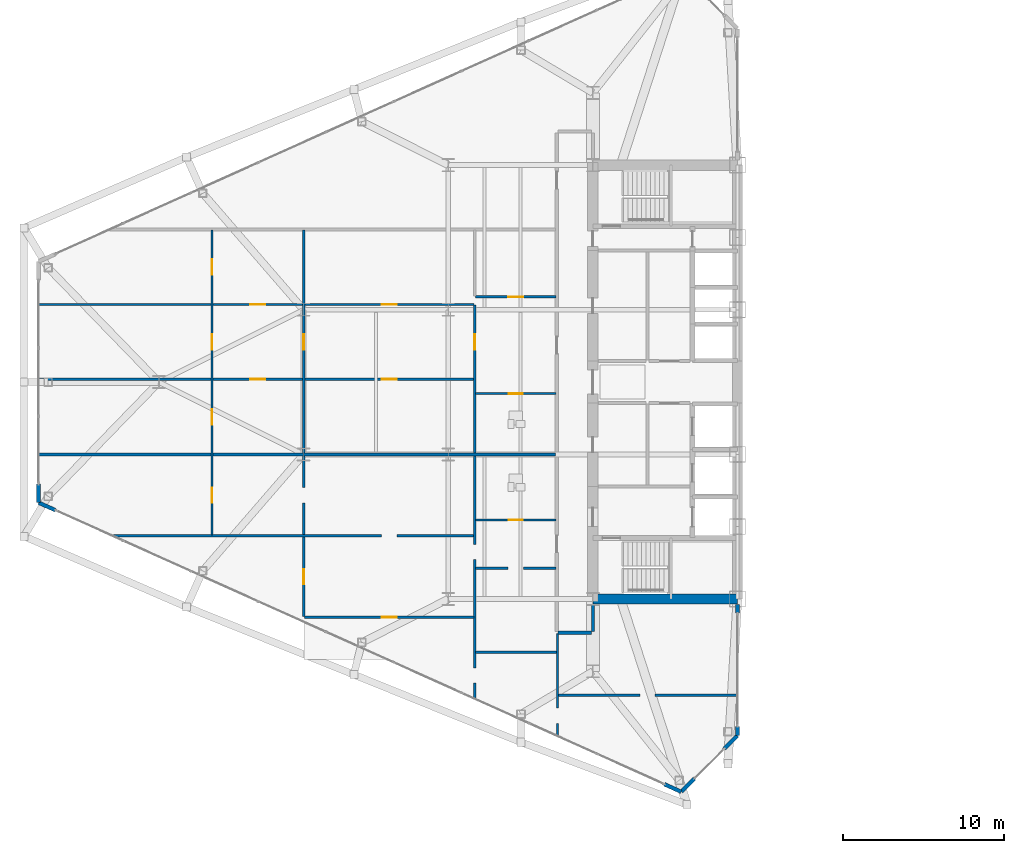
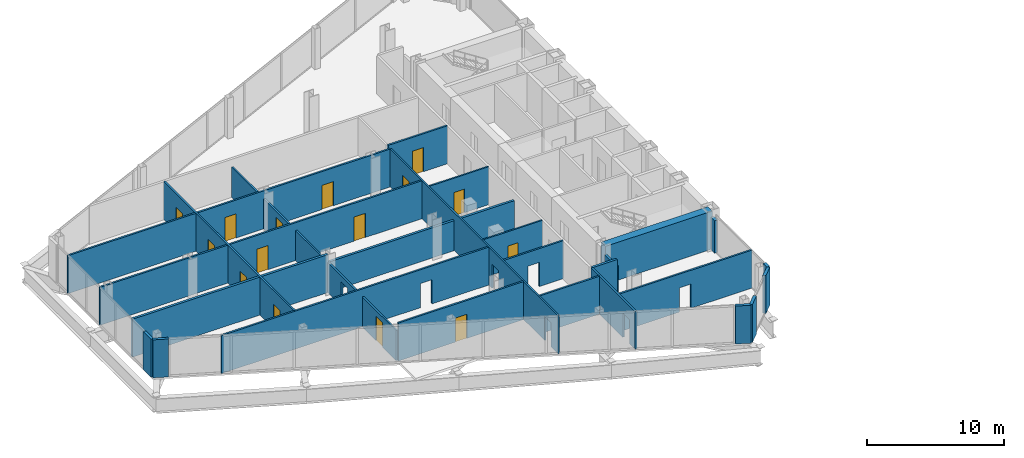
# One storey, part 20 of 29: 26 walls, 15 doors, 22 openings.
"""IFC4 building model written with IfcOpenShell, lengths in metres."""

from ifc_helpers import new_model, si_unit, direction, frame, frame_2d, origin, place, context, subcontext, project, spatial, rectangle, extrude, source, transform, mapped, material, layer, layer_set, type_object, type_shapes, element, fill, save


model = new_model("IFC4")

# Units and contexts
model_context = context("Model", 3, precision=1e-05, world=origin(), true_north=direction((0.0, 1.0)))
body_context = subcontext(model_context, "Body", "Model", "MODEL_VIEW")
ifc_project = project(units=[si_unit("LENGTHUNIT", "METRE"), si_unit("AREAUNIT", "SQUARE_METRE"), si_unit("VOLUMEUNIT", "CUBIC_METRE"), si_unit("PLANEANGLEUNIT", "RADIAN"), si_unit("MASSUNIT", "GRAM", prefix="KILO")], contexts=[model_context])

# Site, building, storey
site_placement = place(None, origin())
site = spatial("IfcSite", under=ifc_project, at=site_placement, CompositionType="ELEMENT")
building_placement = place(site_placement, origin())
building = spatial("IfcBuilding", under=site, at=building_placement, Name="Seokmaru Belvedere", CompositionType="ELEMENT")
storey_placement = place(building_placement, frame((0.0, 0.0, 62.10009765625)))
storey = spatial("IfcBuildingStorey", under=building, at=storey_placement, Name="L16", CompositionType="ELEMENT", Elevation=62.10009765625)

# Wall, opening
ifc_material_1 = material(Name="Fire-Rated Gypsum Shaftwall")
ifc_layer_1 = layer(ifc_material_1, 0.14990234375)
ifc_layer_set_1 = layer_set([ifc_layer_1], Name="Fire-Rated Gypsum Shaftwall")
wall_type_1 = type_object("IfcWallType", Name="Apartment Fire-Acoustic Room Partition 150", PredefinedType="PARTITIONING", material=ifc_layer_set_1)
wall_1_placement = place(storey_placement, frame((-38.64990234375, -19.5, 0.0), z_axis=(0.0, 0.0, 1.0), x_axis=(1.0, 0.0, 0.0)))
wall_1 = element("IfcWall", 1, at=wall_1_placement, inside=storey, type_object=wall_type_1, Name="L16 Interior Partition 001", PredefinedType="PARTITIONING", context=body_context, shape_type="SweptSolid", body=[
    extrude(rectangle(XDim=11.184814453125, YDim=0.14990234375, at=frame_2d((5.59228515625, 0.0))), origin(), (0.0, 0.0, 1.0), 3.3798828125),
])
opening_1_placement = place(wall_1_placement, frame((5.074951171875, 0.0, 0.0)))
element("IfcOpeningElement", 2, at=opening_1_placement, cuts=wall_1, Name="L16 Cased Opening 012", PredefinedType="OPENING", context=body_context, shape_type="SweptSolid", body=[
    extrude(rectangle(XDim=0.949951171875, YDim=2.14990234375, at=frame_2d((0.47509765625, 1.074951171875))), frame((0.0, 0.0849609375, 0.0), z_axis=(0.0, -1.0, 0.0), x_axis=(1.0, 0.0, 0.0)), (0.0, 0.0, 1.0), 0.169921875),
])

# Wall
wall_2_placement = place(storey_placement, frame((-43.800048828125, -16.81005859375, 0.0), z_axis=(0.0, 0.0, 1.0), x_axis=(1.0, 0.0, 0.0)))
element("IfcWall", 3, at=wall_2_placement, inside=storey, type_object=wall_type_1, Name="L16 Interior Partition 004", PredefinedType="PARTITIONING", context=body_context, shape_type="SweptSolid", body=[
    extrude(rectangle(XDim=5.050048828125, YDim=0.14990234375, at=frame_2d((2.52490234375, 0.0))), origin(), (0.0, 0.0, 1.0), 3.3798828125),
])

# Wall, opening, door
wall_3_placement = place(storey_placement, frame((-54.449951171875, -14.639892578125, 0.0), z_axis=(0.0, 0.0, 1.0), x_axis=(1.0, 0.0, 0.0)))
wall_3 = element("IfcWall", 4, at=wall_3_placement, inside=storey, type_object=wall_type_1, Name="L16 Interior Partition 008", PredefinedType="PARTITIONING", context=body_context, shape_type="SweptSolid", body=[
    extrude(rectangle(XDim=10.550048828125, YDim=0.14990234375, at=frame_2d((5.27490234375, 0.0))), origin(), (0.0, 0.0, 1.0), 3.3798828125),
])
opening_2_placement = place(wall_3_placement, frame((4.800048828125, 0.0, 0.0)))
opening_2 = element("IfcOpeningElement", 5, at=opening_2_placement, cuts=wall_3, Name="Opening D05", PredefinedType="OPENING", context=body_context, shape_type="SweptSolid", body=[
    extrude(rectangle(XDim=0.949951171875, YDim=2.14990234375, at=frame_2d((0.47509765625, 1.074951171875))), frame((0.0, 0.0849609375, 0.0), z_axis=(0.0, -1.0, 0.0), x_axis=(1.0, 0.0, 0.0)), (0.0, 0.0, 1.0), 0.169921875),
])
ifc_material_2 = material(Name="Engineered White Oak Timber", Category="wood")
door_type_1 = type_object("IfcDoorType", Name="Apartment Interior Fire-Rated Oak Door 950x2150", OperationType="NOTDEFINED", PredefinedType="DOOR", material=ifc_material_2)
shared_shape_1 = source(origin(), body_context, "Body", "SweptSolid", [
    extrude(rectangle(XDim=0.949951171875, YDim=2.14990234375, at=frame_2d((0.47509765625, 1.074951171875))), frame((0.0, 0.02490234375, 0.0), z_axis=(0.0, -1.0, 0.0), x_axis=(1.0, 0.0, 0.0)), (0.0, 0.0, 1.0), 0.050048828125),
])
type_shapes(door_type_1, [shared_shape_1])
door_1_placement = place(opening_2_placement, origin())
door_1 = element("IfcDoor", 6, at=door_1_placement, inside=storey, type_object=door_type_1, Name="L16 Interior Door 006", OperationType="SINGLE_SWING_LEFT", OverallHeight=2.14990234375, OverallWidth=0.949951171875, PredefinedType="DOOR", context=body_context, shape_type="MappedRepresentation", body=[
    mapped(shared_shape_1, transform((0.0, 0.0, 0.0), scale=1.0)),
])
fill(opening_2, door_1)

# Wall, opening
wall_4_placement = place(storey_placement, frame((-43.800048828125, -11.580078125, 0.0), z_axis=(0.0, 0.0, 1.0), x_axis=(1.0, 0.0, 0.0)))
wall_4 = element("IfcWall", 7, at=wall_4_placement, inside=storey, type_object=wall_type_1, Name="L16 Interior Partition 010", PredefinedType="PARTITIONING", context=body_context, shape_type="SweptSolid", body=[
    extrude(rectangle(XDim=5.0, YDim=0.14990234375, at=frame_2d((2.5, 0.0))), origin(), (0.0, 0.0, 1.0), 3.3798828125),
])
opening_3_placement = place(wall_4_placement, frame((2.02490234375, 0.0, 0.0)))
element("IfcOpeningElement", 8, at=opening_3_placement, cuts=wall_4, Name="L16 Cased Opening 003", PredefinedType="OPENING", context=body_context, shape_type="SweptSolid", body=[
    extrude(rectangle(XDim=0.949951171875, YDim=2.14990234375, at=frame_2d((0.47509765625, 1.074951171875))), frame((0.0, 0.0849609375, 0.0), z_axis=(0.0, -1.0, 0.0), x_axis=(1.0, 0.0, 0.0)), (0.0, 0.0, 1.0), 0.169921875),
])

wall_5_placement = place(storey_placement, frame((-66.428955078125, -9.570068359375, 0.0), z_axis=(0.0, 0.0, 1.0), x_axis=(1.0, 0.0, 0.0)))
wall_5 = element("IfcWall", 9, at=wall_5_placement, inside=storey, type_object=wall_type_1, Name="L16 Interior Partition 012", PredefinedType="PARTITIONING", context=body_context, shape_type="SweptSolid", body=[
    extrude(rectangle(XDim=22.529052734375, YDim=0.14990234375, at=frame_2d((11.2646484375, 0.0))), origin(), (0.0, 0.0, 1.0), 3.3798828125),
])
opening_4_placement = place(wall_5_placement, frame((16.779052734375, 0.0, 0.0)))
element("IfcOpeningElement", 10, at=opening_4_placement, cuts=wall_5, Name="L16 Cased Opening 007", PredefinedType="OPENING", context=body_context, shape_type="SweptSolid", body=[
    extrude(rectangle(XDim=0.949951171875, YDim=2.14990234375, at=frame_2d((0.47509765625, 1.074951171875))), frame((0.0, 0.0849609375, 0.0), z_axis=(0.0, -1.0, 0.0), x_axis=(1.0, 0.0, 0.0)), (0.0, 0.0, 1.0), 0.169921875),
])

# Wall, openings, doors
wall_6_placement = place(storey_placement, frame((-71.034912109375, 0.169921875, 0.0), z_axis=(0.0, 0.0, 1.0), x_axis=(1.0, 0.0, 0.0)))
wall_6 = element("IfcWall", 11, at=wall_6_placement, inside=storey, type_object=wall_type_1, Name="L16 Interior Partition 020", PredefinedType="PARTITIONING", context=body_context, shape_type="SweptSolid", body=[
    extrude(rectangle(XDim=27.135009765625, YDim=0.14990234375, at=frame_2d((13.5673828125, 0.0))), origin(), (0.0, 0.0, 1.0), 3.3798828125),
])
opening_5_placement = place(wall_6_placement, frame((21.385009765625, 0.0, 0.0)))
opening_5 = element("IfcOpeningElement", 12, at=opening_5_placement, cuts=wall_6, Name="Opening D05", PredefinedType="OPENING", context=body_context, shape_type="SweptSolid", body=[
    extrude(rectangle(XDim=0.949951171875, YDim=2.14990234375, at=frame_2d((0.47509765625, 1.074951171875))), frame((0.0, 0.0849609375, 0.0), z_axis=(0.0, -1.0, 0.0), x_axis=(1.0, 0.0, 0.0)), (0.0, 0.0, 1.0), 0.169921875),
])
opening_6_placement = place(wall_6_placement, frame((13.2099609375, 0.0, 0.0)))
opening_6 = element("IfcOpeningElement", 13, at=opening_6_placement, cuts=wall_6, Name="Opening D05", PredefinedType="OPENING", context=body_context, shape_type="SweptSolid", body=[
    extrude(rectangle(XDim=0.949951171875, YDim=2.14990234375, at=frame_2d((0.47509765625, 1.074951171875))), frame((0.0, 0.0849609375, 0.0), z_axis=(0.0, -1.0, 0.0), x_axis=(1.0, 0.0, 0.0)), (0.0, 0.0, 1.0), 0.169921875),
])
door_2_placement = place(opening_5_placement, origin())
door_2 = element("IfcDoor", 14, at=door_2_placement, inside=storey, type_object=door_type_1, Name="L16 Interior Door 018", OperationType="SINGLE_SWING_RIGHT", OverallHeight=2.14990234375, OverallWidth=0.949951171875, PredefinedType="DOOR", context=body_context, shape_type="MappedRepresentation", body=[
    mapped(shared_shape_1, transform((0.0, 0.0, 0.0), scale=1.0)),
])
fill(opening_5, door_2)
door_3_placement = place(opening_6_placement, origin())
door_3 = element("IfcDoor", 15, at=door_3_placement, inside=storey, type_object=door_type_1, Name="L16 Interior Door 020", OperationType="SINGLE_SWING_LEFT", OverallHeight=2.14990234375, OverallWidth=0.949951171875, PredefinedType="DOOR", context=body_context, shape_type="MappedRepresentation", body=[
    mapped(shared_shape_1, transform((0.0, 0.0, 0.0), scale=1.0)),
])
fill(opening_6, door_3)

wall_7_placement = place(storey_placement, frame((-71.034912109375, 4.830078125, 0.0), z_axis=(0.0, 0.0, 1.0), x_axis=(1.0, 0.0, 0.0)))
wall_7 = element("IfcWall", 16, at=wall_7_placement, inside=storey, type_object=wall_type_1, Name="L16 Interior Partition 022", PredefinedType="PARTITIONING", context=body_context, shape_type="SweptSolid", body=[
    extrude(rectangle(XDim=27.135009765625, YDim=0.14990234375, at=frame_2d((13.5673828125, 0.0))), origin(), (0.0, 0.0, 1.0), 3.3798828125),
])
opening_7_placement = place(wall_7_placement, frame((21.385009765625, 0.0, 0.0)))
opening_7 = element("IfcOpeningElement", 17, at=opening_7_placement, cuts=wall_7, Name="Opening D05", PredefinedType="OPENING", context=body_context, shape_type="SweptSolid", body=[
    extrude(rectangle(XDim=0.949951171875, YDim=2.14990234375, at=frame_2d((0.47509765625, 1.074951171875))), frame((0.0, 0.0849609375, 0.0), z_axis=(0.0, -1.0, 0.0), x_axis=(1.0, 0.0, 0.0)), (0.0, 0.0, 1.0), 0.169921875),
])
opening_8_placement = place(wall_7_placement, frame((13.2099609375, 0.0, 0.0)))
opening_8 = element("IfcOpeningElement", 18, at=opening_8_placement, cuts=wall_7, Name="Opening D05", PredefinedType="OPENING", context=body_context, shape_type="SweptSolid", body=[
    extrude(rectangle(XDim=0.949951171875, YDim=2.14990234375, at=frame_2d((0.47509765625, 1.074951171875))), frame((0.0, 0.0849609375, 0.0), z_axis=(0.0, -1.0, 0.0), x_axis=(1.0, 0.0, 0.0)), (0.0, 0.0, 1.0), 0.169921875),
])
door_4_placement = place(opening_7_placement, origin())
door_4 = element("IfcDoor", 19, at=door_4_placement, inside=storey, type_object=door_type_1, Name="L16 Interior Door 019", OperationType="SINGLE_SWING_LEFT", OverallHeight=2.14990234375, OverallWidth=0.949951171875, PredefinedType="DOOR", context=body_context, shape_type="MappedRepresentation", body=[
    mapped(shared_shape_1, transform((0.0, 0.0, 0.0), scale=1.0)),
])
fill(opening_7, door_4)
door_5_placement = place(opening_8_placement, origin())
door_5 = element("IfcDoor", 20, at=door_5_placement, inside=storey, type_object=door_type_1, Name="L16 Interior Door 023", OperationType="SINGLE_SWING_LEFT", OverallHeight=2.14990234375, OverallWidth=0.949951171875, PredefinedType="DOOR", context=body_context, shape_type="MappedRepresentation", body=[
    mapped(shared_shape_1, transform((0.0, 0.0, 0.0), scale=1.0)),
])
fill(opening_8, door_5)

# Wall, opening, door
wall_8_placement = place(storey_placement, frame((-43.800048828125, 5.300048828125, 0.0), z_axis=(0.0, 0.0, 1.0), x_axis=(1.0, 0.0, 0.0)))
wall_8 = element("IfcWall", 21, at=wall_8_placement, inside=storey, type_object=wall_type_1, Name="L16 Interior Partition 023", PredefinedType="PARTITIONING", context=body_context, shape_type="SweptSolid", body=[
    extrude(rectangle(XDim=5.0, YDim=0.14990234375, at=frame_2d((2.5, 0.0))), origin(), (0.0, 0.0, 1.0), 3.3798828125),
])
opening_9_placement = place(wall_8_placement, frame((2.02490234375, 0.0, 0.0)))
opening_9 = element("IfcOpeningElement", 22, at=opening_9_placement, cuts=wall_8, Name="Opening D05", PredefinedType="OPENING", context=body_context, shape_type="SweptSolid", body=[
    extrude(rectangle(XDim=0.949951171875, YDim=2.14990234375, at=frame_2d((0.47509765625, 1.074951171875))), frame((0.0, 0.0849609375, 0.0), z_axis=(0.0, -1.0, 0.0), x_axis=(1.0, 0.0, 0.0)), (0.0, 0.0, 1.0), 0.169921875),
])
door_6_placement = place(opening_9_placement, origin())
door_6 = element("IfcDoor", 23, at=door_6_placement, inside=storey, type_object=door_type_1, Name="L16 Interior Door 015", OperationType="SINGLE_SWING_LEFT", OverallHeight=2.14990234375, OverallWidth=0.949951171875, PredefinedType="DOOR", context=body_context, shape_type="MappedRepresentation", body=[
    mapped(shared_shape_1, transform((0.0, 0.0, 0.0), scale=1.0)),
])
fill(opening_9, door_6)

# Wall, openings, doors
wall_9_placement = place(storey_placement, frame((-60.199951171875, -9.52197265625, 0.0), z_axis=(0.0, 0.0, 1.0), x_axis=(0.0, 1.0, 0.0)))
wall_9 = element("IfcWall", 24, at=wall_9_placement, inside=storey, type_object=wall_type_1, Name="L16 Interior Partition 032", PredefinedType="PARTITIONING", context=body_context, shape_type="SweptSolid", body=[
    extrude(rectangle(XDim=18.971923828125, YDim=0.14990234375, at=frame_2d((9.48583984375, 0.0))), origin(), (0.0, 0.0, 1.0), 3.3798828125),
])
opening_10_placement = place(wall_9_placement, frame((2.0107421875, 0.0, 0.0)))
opening_10 = element("IfcOpeningElement", 25, at=opening_10_placement, cuts=wall_9, Name="Opening D05", PredefinedType="OPENING", context=body_context, shape_type="SweptSolid", body=[
    extrude(rectangle(XDim=0.949951171875, YDim=2.14990234375, at=frame_2d((0.47509765625, 1.074951171875))), frame((0.0, 0.0849609375, 0.0), z_axis=(0.0, -1.0, 0.0), x_axis=(1.0, 0.0, 0.0)), (0.0, 0.0, 1.0), 0.169921875),
])
opening_11_placement = place(wall_9_placement, frame((6.88037109375, 0.0, 0.0)))
opening_11 = element("IfcOpeningElement", 26, at=opening_11_placement, cuts=wall_9, Name="Opening D05", PredefinedType="OPENING", context=body_context, shape_type="SweptSolid", body=[
    extrude(rectangle(XDim=0.949951171875, YDim=2.14990234375, at=frame_2d((0.47509765625, 1.074951171875))), frame((0.0, 0.0849609375, 0.0), z_axis=(0.0, -1.0, 0.0), x_axis=(1.0, 0.0, 0.0)), (0.0, 0.0, 1.0), 0.169921875),
])
opening_12_placement = place(wall_9_placement, frame((11.547119140625, 0.0, 0.0)))
opening_12 = element("IfcOpeningElement", 27, at=opening_12_placement, cuts=wall_9, Name="Opening D05", PredefinedType="OPENING", context=body_context, shape_type="SweptSolid", body=[
    extrude(rectangle(XDim=0.949951171875, YDim=2.14990234375, at=frame_2d((0.47509765625, 1.074951171875))), frame((0.0, 0.0849609375, 0.0), z_axis=(0.0, -1.0, 0.0), x_axis=(1.0, 0.0, 0.0)), (0.0, 0.0, 1.0), 0.169921875),
])
opening_13_placement = place(wall_9_placement, frame((16.213623046875, 0.0, 0.0)))
opening_13 = element("IfcOpeningElement", 28, at=opening_13_placement, cuts=wall_9, Name="Opening D05", PredefinedType="OPENING", context=body_context, shape_type="SweptSolid", body=[
    extrude(rectangle(XDim=0.949951171875, YDim=2.14990234375, at=frame_2d((0.47509765625, 1.074951171875))), frame((0.0, 0.0849609375, 0.0), z_axis=(0.0, -1.0, 0.0), x_axis=(1.0, 0.0, 0.0)), (0.0, 0.0, 1.0), 0.169921875),
])
door_7_placement = place(opening_10_placement, origin())
door_7 = element("IfcDoor", 29, at=door_7_placement, inside=storey, type_object=door_type_1, Name="L16 Interior Door 009", OperationType="SINGLE_SWING_RIGHT", OverallHeight=2.14990234375, OverallWidth=0.949951171875, PredefinedType="DOOR", context=body_context, shape_type="MappedRepresentation", body=[
    mapped(shared_shape_1, transform((0.0, 0.0, 0.0), scale=1.0)),
])
fill(opening_10, door_7)
door_8_placement = place(opening_11_placement, origin())
door_8 = element("IfcDoor", 30, at=door_8_placement, inside=storey, type_object=door_type_1, Name="L16 Interior Door 021", OperationType="SINGLE_SWING_RIGHT", OverallHeight=2.14990234375, OverallWidth=0.949951171875, PredefinedType="DOOR", context=body_context, shape_type="MappedRepresentation", body=[
    mapped(shared_shape_1, transform((0.0, 0.0, 0.0), scale=1.0)),
])
fill(opening_11, door_8)
door_9_placement = place(opening_12_placement, origin())
door_9 = element("IfcDoor", 31, at=door_9_placement, inside=storey, type_object=door_type_1, Name="L16 Interior Door 022", OperationType="SINGLE_SWING_RIGHT", OverallHeight=2.14990234375, OverallWidth=0.949951171875, PredefinedType="DOOR", context=body_context, shape_type="MappedRepresentation", body=[
    mapped(shared_shape_1, transform((0.0, 0.0, 0.0), scale=1.0)),
])
fill(opening_12, door_9)
door_10_placement = place(opening_13_placement, origin())
door_10 = element("IfcDoor", 32, at=door_10_placement, inside=storey, type_object=door_type_1, Name="L16 Interior Door 024", OperationType="SINGLE_SWING_RIGHT", OverallHeight=2.14990234375, OverallWidth=0.949951171875, PredefinedType="DOOR", context=body_context, shape_type="MappedRepresentation", body=[
    mapped(shared_shape_1, transform((0.0, 0.0, 0.0), scale=1.0)),
])
fill(opening_13, door_10)

wall_10_placement = place(storey_placement, frame((-54.5, -14.594970703125, 0.0), z_axis=(0.0, 0.0, 1.0), x_axis=(0.0, 1.0, 0.0)))
wall_10 = element("IfcWall", 33, at=wall_10_placement, inside=storey, type_object=wall_type_1, Name="L16 Interior Partition 033", PredefinedType="PARTITIONING", context=body_context, shape_type="SweptSolid", body=[
    extrude(rectangle(XDim=24.044921875, YDim=0.14990234375, at=frame_2d((12.0224609375, 0.0))), origin(), (0.0, 0.0, 1.0), 2.679931640625),
])
opening_14_placement = place(wall_10_placement, frame((2.01123046875, 0.0, 0.0)))
opening_14 = element("IfcOpeningElement", 34, at=opening_14_placement, cuts=wall_10, Name="Opening D05", PredefinedType="OPENING", context=body_context, shape_type="SweptSolid", body=[
    extrude(rectangle(XDim=0.949951171875, YDim=2.14990234375, at=frame_2d((0.47509765625, 1.074951171875))), frame((0.0, 0.0849609375, 0.0), z_axis=(0.0, -1.0, 0.0), x_axis=(1.0, 0.0, 0.0)), (0.0, 0.0, 1.0), 0.169921875),
])
opening_15_placement = place(wall_10_placement, frame((7.083740234375, 0.0, 0.0)))
element("IfcOpeningElement", 35, at=opening_15_placement, cuts=wall_10, Name="L16 Cased Opening 008", PredefinedType="OPENING", context=body_context, shape_type="SweptSolid", body=[
    extrude(rectangle(XDim=0.949951171875, YDim=2.14990234375, at=frame_2d((0.47509765625, 1.074951171875))), frame((0.0, 0.0849609375, 0.0), z_axis=(0.0, -1.0, 0.0), x_axis=(1.0, 0.0, 0.0)), (0.0, 0.0, 1.0), 0.169921875),
])
opening_16_placement = place(wall_10_placement, frame((16.6201171875, 0.0, 0.0)))
opening_16 = element("IfcOpeningElement", 36, at=opening_16_placement, cuts=wall_10, Name="Opening D05", PredefinedType="OPENING", context=body_context, shape_type="SweptSolid", body=[
    extrude(rectangle(XDim=0.949951171875, YDim=2.14990234375, at=frame_2d((0.47509765625, 1.074951171875))), frame((0.0, 0.0849609375, 0.0), z_axis=(0.0, -1.0, 0.0), x_axis=(1.0, 0.0, 0.0)), (0.0, 0.0, 1.0), 0.169921875),
])
door_11_placement = place(opening_14_placement, origin())
door_11 = element("IfcDoor", 37, at=door_11_placement, inside=storey, type_object=door_type_1, Name="L16 Interior Door 005", OperationType="SINGLE_SWING_RIGHT", OverallHeight=2.14990234375, OverallWidth=0.949951171875, PredefinedType="DOOR", context=body_context, shape_type="MappedRepresentation", body=[
    mapped(shared_shape_1, transform((0.0, 0.0, 0.0), scale=1.0)),
])
fill(opening_14, door_11)
door_12_placement = place(opening_16_placement, origin())
door_12 = element("IfcDoor", 38, at=door_12_placement, inside=storey, type_object=door_type_1, Name="L16 Interior Door 017", OperationType="SINGLE_SWING_LEFT", OverallHeight=2.14990234375, OverallWidth=0.949951171875, PredefinedType="DOOR", context=body_context, shape_type="MappedRepresentation", body=[
    mapped(shared_shape_1, transform((0.0, 0.0, 0.0), scale=1.0)),
])
fill(opening_16, door_12)

# Wall, opening
wall_11_placement = place(storey_placement, frame((-38.699951171875, -22.070068359375, 0.0), z_axis=(0.0, 0.0, 1.0), x_axis=(0.0, 1.0, 0.0)))
wall_11 = element("IfcWall", 39, at=wall_11_placement, inside=storey, type_object=wall_type_1, Name="L16 Interior Partition 037", PredefinedType="PARTITIONING", context=body_context, shape_type="SweptSolid", body=[
    extrude(rectangle(XDim=6.420166015625, YDim=0.14990234375, at=frame_2d((3.2099609375, 0.0))), origin(), (0.0, 0.0, 1.0), 3.3798828125),
])
opening_17_placement = place(wall_11_placement, frame((0.827392578125, 0.0, 0.0)))
element("IfcOpeningElement", 40, at=opening_17_placement, cuts=wall_11, Name="L16 Cased Opening 011", PredefinedType="OPENING", context=body_context, shape_type="SweptSolid", body=[
    extrude(rectangle(XDim=0.949951171875, YDim=2.14990234375, at=frame_2d((0.47509765625, 1.074951171875))), frame((0.0, 0.0849609375, 0.0), z_axis=(0.0, -1.0, 0.0), x_axis=(1.0, 0.0, 0.0)), (0.0, 0.0, 1.0), 0.169921875),
])

# Walls
ifc_layer_2 = layer(ifc_material_1, 0.199951171875)
ifc_layer_set_2 = layer_set([ifc_layer_2], Name="Fire-Rated Gypsum Shaftwall")
wall_type_2 = type_object("IfcWallType", Name="Inter-Tenancy Fire Compartment Partition 200", PredefinedType="PARTITIONING", material=ifc_layer_set_2)
wall_12_placement = place(storey_placement, frame((-38.6650390625, -15.60009765625, 0.0), z_axis=(0.0, 0.0, 1.0), x_axis=(1.0, 0.0, 0.0)))
element("IfcWall", 41, at=wall_12_placement, inside=storey, type_object=wall_type_2, Name="L16 Interior Partition 006", PredefinedType="PARTITIONING", context=body_context, shape_type="SweptSolid", body=[
    extrude(rectangle(XDim=2.080078125, YDim=0.199951171875, at=frame_2d((1.0400390625, 0.0))), origin(), (0.0, 0.0, 1.0), 3.3798828125),
])
wall_13_placement = place(storey_placement, frame((-71.0048828125, -4.5, 0.0), z_axis=(0.0, 0.0, 1.0), x_axis=(1.0, 0.0, 0.0)))
element("IfcWall", 42, at=wall_13_placement, inside=storey, type_object=wall_type_2, Name="L16 Interior Partition 016", PredefinedType="PARTITIONING", context=body_context, shape_type="SweptSolid", body=[
    extrude(rectangle(XDim=16.48486328125, YDim=0.199951171875, at=frame_2d((8.242431640625, 0.0))), origin(), (0.0, 0.0, 1.0), 3.3798828125),
])
wall_14_placement = place(storey_placement, frame((-54.52001953125, -4.5, 0.0), z_axis=(0.0, 0.0, 1.0), x_axis=(1.0, 0.0, 0.0)))
element("IfcWall", 43, at=wall_14_placement, inside=storey, type_object=wall_type_2, Name="L16 Interior Partition 016 Part 2", PredefinedType="PARTITIONING", context=body_context, shape_type="SweptSolid", body=[
    extrude(rectangle(XDim=15.68994140625, YDim=0.199951171875, at=frame_2d((7.844970703125, 0.0))), origin(), (0.0, 0.0, 1.0), 2.679931640625),
])
wall_15_placement = place(storey_placement, frame((-36.5, -15.514892578125, 0.0), z_axis=(0.0, 0.0, 1.0), x_axis=(0.0, 1.0, 0.0)))
element("IfcWall", 44, at=wall_15_placement, inside=storey, type_object=wall_type_2, Name="L16 Interior Partition 038", PredefinedType="PARTITIONING", context=body_context, shape_type="SweptSolid", body=[
    extrude(rectangle(XDim=1.684814453125, YDim=0.199951171875, at=frame_2d((0.84228515625, 0.0))), origin(), (0.0, 0.0, 1.0), 2.679931640625),
])
ifc_material_3 = material(Name="Concrete C60 (60 MPa)", Category="concrete")
ifc_layer_3 = layer(ifc_material_3, 0.64990234375)
ifc_layer_set_3 = layer_set([ifc_layer_3], Name="Concrete C60 (60 MPa)")
wall_type_3 = type_object("IfcWallType", Name="Mid-Low Reinforced Concrete Core Wall 650", PredefinedType="SHEAR", material=ifc_layer_set_3)
wall_16_placement = place(storey_placement, frame((-36.5, -13.5, 0.0), z_axis=(0.0, 0.0, 1.0), x_axis=(1.0, 0.0, 0.0)))
element("IfcWall", 45, at=wall_16_placement, inside=storey, type_object=wall_type_3, Name="L16 West South Core Wall", PredefinedType="SHEAR", context=body_context, shape_type="SweptSolid", body=[
    extrude(rectangle(XDim=9.0, YDim=0.64990234375, at=frame_2d((4.5, 0.0))), origin(), (0.0, 0.0, 1.0), 3.3798828125),
])

# Wall, opening, door
ifc_layer_4 = layer(ifc_material_1, 0.1298828125)
ifc_layer_set_4 = layer_set([ifc_layer_4], Name="Fire-Rated Gypsum Shaftwall")
wall_type_4 = type_object("IfcWallType", Name="Moisture-Resistant Fire-Rated Bathroom Partition 130", PredefinedType="PARTITIONING", material=ifc_layer_set_4)
wall_17_placement = place(storey_placement, frame((-43.800048828125, -8.580078125, 0.0), z_axis=(0.0, 0.0, 1.0), x_axis=(1.0, 0.0, 0.0)))
wall_17 = element("IfcWall", 46, at=wall_17_placement, inside=storey, type_object=wall_type_4, Name="L16 Interior Partition 013", PredefinedType="PARTITIONING", context=body_context, shape_type="SweptSolid", body=[
    extrude(rectangle(XDim=5.0, YDim=0.1298828125, at=frame_2d((2.5, 0.0))), origin(), (0.0, 0.0, 1.0), 3.3798828125),
])
opening_18_placement = place(wall_17_placement, frame((2.06005859375, 0.0, 0.0)))
opening_18 = element("IfcOpeningElement", 47, at=opening_18_placement, cuts=wall_17, Name="Opening D06", PredefinedType="OPENING", context=body_context, shape_type="SweptSolid", body=[
    extrude(rectangle(XDim=0.8798828125, YDim=2.10009765625, at=frame_2d((0.43994140625, 1.050048828125))), frame((0.0, 0.074951171875, 0.0), z_axis=(0.0, -1.0, 0.0), x_axis=(1.0, 0.0, 0.0)), (0.0, 0.0, 1.0), 0.14990234375),
])
door_type_2 = type_object("IfcDoorType", Name="Bathroom and Restroom Fire-Rated Door 880x2100", OperationType="NOTDEFINED", PredefinedType="DOOR", material=ifc_material_2)
shared_shape_2 = source(origin(), body_context, "Body", "SweptSolid", [
    extrude(rectangle(XDim=0.8798828125, YDim=2.10009765625, at=frame_2d((0.43994140625, 1.050048828125))), frame((0.0, 0.02490234375, 0.0), z_axis=(0.0, -1.0, 0.0), x_axis=(1.0, 0.0, 0.0)), (0.0, 0.0, 1.0), 0.050048828125),
])
type_shapes(door_type_2, [shared_shape_2])
door_13_placement = place(opening_18_placement, origin())
door_13 = element("IfcDoor", 48, at=door_13_placement, inside=storey, type_object=door_type_2, Name="L16 Interior Door 002", OperationType="SINGLE_SWING_LEFT", OverallHeight=2.10009765625, OverallWidth=0.8798828125, PredefinedType="DOOR", context=body_context, shape_type="MappedRepresentation", body=[
    mapped(shared_shape_2, transform((0.0, 0.0, 0.0), scale=1.0)),
])
fill(opening_18, door_13)

wall_18_placement = place(storey_placement, frame((-43.800048828125, -0.719970703125, 0.0), z_axis=(0.0, 0.0, 1.0), x_axis=(1.0, 0.0, 0.0)))
wall_18 = element("IfcWall", 49, at=wall_18_placement, inside=storey, type_object=wall_type_4, Name="L16 Interior Partition 019", PredefinedType="PARTITIONING", context=body_context, shape_type="SweptSolid", body=[
    extrude(rectangle(XDim=5.0, YDim=0.1298828125, at=frame_2d((2.5, 0.0))), origin(), (0.0, 0.0, 1.0), 3.3798828125),
])
opening_19_placement = place(wall_18_placement, frame((2.06005859375, 0.0, 0.0)))
opening_19 = element("IfcOpeningElement", 50, at=opening_19_placement, cuts=wall_18, Name="Opening D06", PredefinedType="OPENING", context=body_context, shape_type="SweptSolid", body=[
    extrude(rectangle(XDim=0.8798828125, YDim=2.10009765625, at=frame_2d((0.43994140625, 1.050048828125))), frame((0.0, 0.074951171875, 0.0), z_axis=(0.0, -1.0, 0.0), x_axis=(1.0, 0.0, 0.0)), (0.0, 0.0, 1.0), 0.14990234375),
])
door_14_placement = place(opening_19_placement, origin())
door_14 = element("IfcDoor", 51, at=door_14_placement, inside=storey, type_object=door_type_2, Name="L16 Interior Door 014", OperationType="SINGLE_SWING_LEFT", OverallHeight=2.10009765625, OverallWidth=0.8798828125, PredefinedType="DOOR", context=body_context, shape_type="MappedRepresentation", body=[
    mapped(shared_shape_2, transform((0.0, 0.0, 0.0), scale=1.0)),
])
fill(opening_19, door_14)

# Wall, openings, door
wall_19_placement = place(storey_placement, frame((-43.85009765625, -19.7529296875, 0.0), z_axis=(0.0, 0.0, 1.0), x_axis=(0.0, 1.0, 0.0)))
wall_19 = element("IfcWall", 52, at=wall_19_placement, inside=storey, type_object=wall_type_4, Name="L16 Interior Partition 034", PredefinedType="PARTITIONING", context=body_context, shape_type="SweptSolid", body=[
    extrude(rectangle(XDim=24.535888671875, YDim=0.1298828125, at=frame_2d((12.26806640625, 0.0))), origin(), (0.0, 0.0, 1.0), 3.3798828125),
])
opening_20_placement = place(wall_19_placement, frame((8.702880859375, 0.0, 0.0)))
element("IfcOpeningElement", 53, at=opening_20_placement, cuts=wall_19, Name="L16 Cased Opening 004", PredefinedType="OPENING", context=body_context, shape_type="SweptSolid", body=[
    extrude(rectangle(XDim=0.949951171875, YDim=2.14990234375, at=frame_2d((0.47509765625, 1.074951171875))), frame((0.0, 0.074951171875, 0.0), z_axis=(0.0, -1.0, 0.0), x_axis=(1.0, 0.0, 0.0)), (0.0, 0.0, 1.0), 0.14990234375),
])
opening_21_placement = place(wall_19_placement, frame((1.01611328125, 0.0, 0.0)))
element("IfcOpeningElement", 54, at=opening_21_placement, cuts=wall_19, Name="L16 Cased Opening 010", PredefinedType="OPENING", context=body_context, shape_type="SweptSolid", body=[
    extrude(rectangle(XDim=0.949951171875, YDim=2.14990234375, at=frame_2d((0.47509765625, 1.074951171875))), frame((0.0, 0.074951171875, 0.0), z_axis=(0.0, -1.0, 0.0), x_axis=(1.0, 0.0, 0.0)), (0.0, 0.0, 1.0), 0.14990234375),
])
opening_22_placement = place(wall_19_placement, frame((21.778076171875, 0.0, 0.0)))
opening_22 = element("IfcOpeningElement", 55, at=opening_22_placement, cuts=wall_19, Name="Opening D05", PredefinedType="OPENING", context=body_context, shape_type="SweptSolid", body=[
    extrude(rectangle(XDim=0.949951171875, YDim=2.14990234375, at=frame_2d((0.47509765625, 1.074951171875))), frame((0.0, 0.074951171875, 0.0), z_axis=(0.0, -1.0, 0.0), x_axis=(1.0, 0.0, 0.0)), (0.0, 0.0, 1.0), 0.14990234375),
])
door_15_placement = place(opening_22_placement, origin())
door_15 = element("IfcDoor", 56, at=door_15_placement, inside=storey, type_object=door_type_1, Name="L16 Interior Door 016", OperationType="SINGLE_SWING_RIGHT", OverallHeight=2.14990234375, OverallWidth=0.949951171875, PredefinedType="DOOR", context=body_context, shape_type="MappedRepresentation", body=[
    mapped(shared_shape_1, transform((0.0, 0.0, 0.0), scale=1.0)),
])
fill(opening_22, door_15)

# Walls
ifc_material_4 = material(Name="Anodised Bronze Aluminium", Category="aluminium")
ifc_layer_5 = layer(ifc_material_4, 0.239990234375)
ifc_layer_set_5 = layer_set([ifc_layer_5], Name="Anodised Bronze Aluminium")
wall_type_5 = type_object("IfcWallType", Name="Tower Corner Spandrel Closure Wall 240", PredefinedType="SOLIDWALL", material=ifc_layer_set_5)
wall_20_placement = place(storey_placement, frame((-27.5, -21.97998046875, 0.0), z_axis=(0.0, 0.0, 1.0), x_axis=(0.0, 1.0, 0.0)))
element("IfcWall", 57, at=wall_20_placement, inside=storey, type_object=wall_type_5, Name="L16 W Spine Closure Pier 1A", PredefinedType="SOLIDWALL", context=body_context, shape_type="SweptSolid", body=[
    extrude(rectangle(XDim=0.550048828125, YDim=0.239990234375, at=frame_2d((0.27490234375, 0.0))), origin(), (0.0, 0.0, 1.0), 3.3798828125),
])
wall_21_placement = place(storey_placement, frame((-27.5, -14.3798828125, 0.0), z_axis=(0.0, 0.0, 1.0), x_axis=(0.0, 1.0, 0.0)))
element("IfcWall", 58, at=wall_21_placement, inside=storey, type_object=wall_type_5, Name="L16 W Spine Closure Pier 1B", PredefinedType="SOLIDWALL", context=body_context, shape_type="SweptSolid", body=[
    extrude(rectangle(XDim=0.5498046875, YDim=0.239990234375, at=frame_2d((0.27490234375, 0.0))), origin(), (0.0, 0.0, 1.0), 2.8798828125),
])
for number, where, z_axis, x_axis, name in (
    (59, (-71.0, -6.35009765625, 0.0), (0.0, 0.0, 1.0), (0.0, -1.0, 0.0), "L16 W Corner Closure Pier 4B"),
    (60, (-70.990966796875, -7.504150390625, 0.0), (0.0, 0.0, 1.0), (0.911929519623, -0.410346866979, 0.0), "L16 W Corner Closure Pier 5A"),
    (61, (-32.048583984375, -25.028076171875, 0.0), (0.0, 0.0, 1.0), (0.911929519623, -0.410346866979, 0.0), "L16 W Corner Closure Pier 5B"),
):
    element("IfcWall", number, at=place(storey_placement, frame(where, z_axis=z_axis, x_axis=x_axis)), inside=storey, type_object=wall_type_5, Name=name, PredefinedType="SOLIDWALL", context=body_context, shape_type="SweptSolid", body=[
        extrude(rectangle(XDim=1.139892578125, YDim=0.239990234375, at=frame_2d((0.56982421875, 0.0))), origin(), (0.0, 0.0, 1.0), 3.3798828125),
    ])
for number, where, z_axis, x_axis, name in (
    (62, (-30.992919921875, -25.492919921875, 0.0), (0.0, 0.0, 1.0), (0.707106781187, 0.707106781187, 0.0), "L16 W Corner Closure Pier 6A"),
    (63, (-28.313232421875, -22.813232421875, 0.0), (0.0, 0.0, 1.0), (0.707106781187, 0.707106781187, 0.0), "L16 W Corner Closure Pier 6B"),
):
    element("IfcWall", number, at=place(storey_placement, frame(where, z_axis=z_axis, x_axis=x_axis)), inside=storey, type_object=wall_type_5, Name=name, PredefinedType="SOLIDWALL", context=body_context, shape_type="SweptSolid", body=[
        extrude(rectangle(XDim=1.14013671875, YDim=0.239990234375, at=frame_2d((0.570068359375, 0.0))), origin(), (0.0, 0.0, 1.0), 3.3798828125),
    ])

save(model, "model.ifc")
